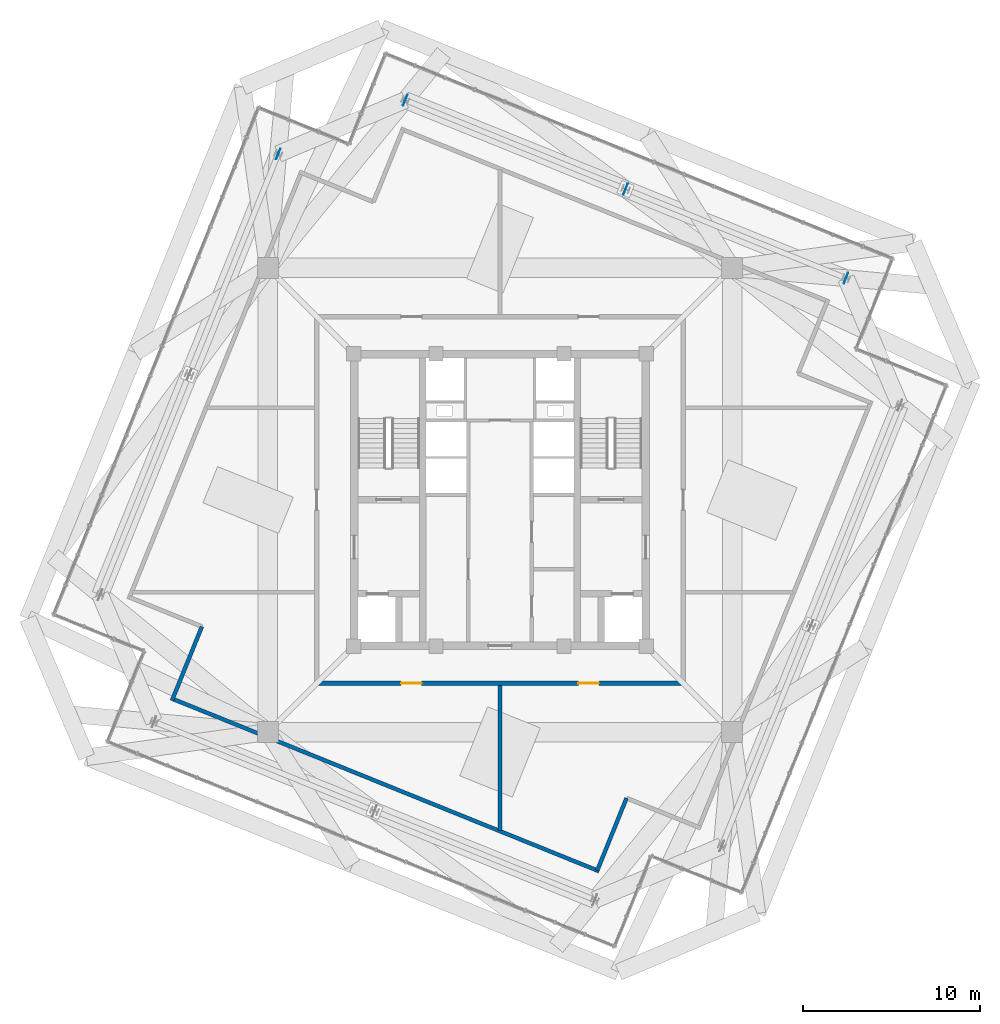
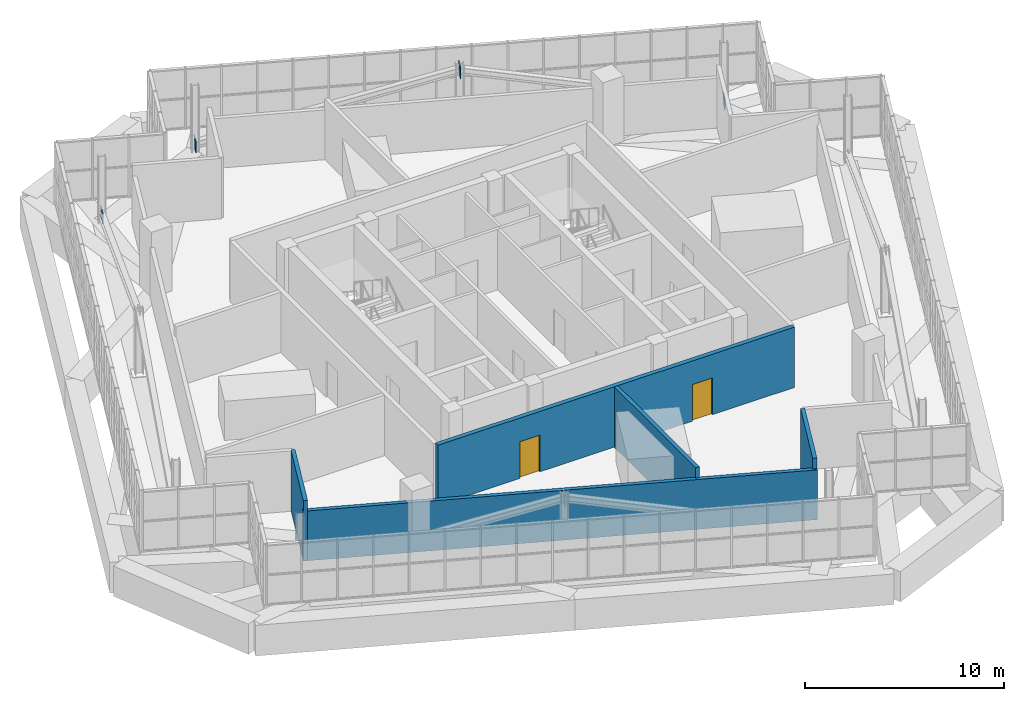
# One storey, part 31 of 35: 5 walls, 4 plates, 2 doors, 2 openings.
"""IFC4 building model written with IfcOpenShell, lengths in metres."""

import ifcopenshell
import ifcopenshell.guid

model = None  # the IFC model being written
_history = None  # IfcOwnerHistory: only IFC2X3 demands one
_inside = {}  # id of a spatial element -> (the spatial element, [elements in it])
_under = {}  # id of a project, library or spatial element -> (it, [spatial elements below it])
_declared = {}  # id of a project -> (the project, [libraries it declares])
_typed = {}  # id of a type object -> (the type object, [elements of that type])
_made_of = {}  # id of a material, layer set ... -> (it, [elements and type objects made of it])


def new_model(schema):
    """Start an empty IFC model of exactly this schema.

    Asked for "IFC4X3", IfcOpenShell would pick the latest addendum, in which some entities
    have other attributes; the version numbers below select the first issue.
    IFC2X3 requires an IfcOwnerHistory on every rooted entity: one is made here for all.
    """
    global model, _history
    if schema == "IFC4X3":
        model = ifcopenshell.file(schema_version=(4, 3, 0, 0))
    else:
        model = ifcopenshell.file(schema=schema)
    _inside.clear()
    _under.clear()
    _declared.clear()
    _typed.clear()
    _made_of.clear()
    _history = None
    if model.schema == "IFC2X3":
        org = make("IfcOrganization", Name="unknown")
        user = make(
            "IfcPersonAndOrganization",
            ThePerson=make("IfcPerson", FamilyName="unknown"),
            TheOrganization=org,
        )
        app = make(
            "IfcApplication",
            ApplicationDeveloper=org,
            Version="unknown",
            ApplicationFullName="unknown",
            ApplicationIdentifier="unknown",
        )
        _history = make(
            "IfcOwnerHistory",
            OwningUser=user,
            OwningApplication=app,
            ChangeAction="ADDED",
            CreationDate=0,
        )
    return model


def make(cls, **values):
    """One entity of the class cls with the attributes given. An attribute that is None is left unset."""
    return model.create_entity(
        cls, **{name: value for name, value in values.items() if value is not None}
    )


def rooted(cls, **values):
    """An entity with a GlobalId (a new one), such as an element, a storey or a relation."""
    return make(cls, GlobalId=ifcopenshell.guid.new(), OwnerHistory=_history, **values)


def si_unit(unit_type, name, prefix=None):
    """IfcSIUnit, for example si_unit("LENGTHUNIT", "METRE", prefix="MILLI")."""
    return make("IfcSIUnit", UnitType=unit_type, Prefix=prefix, Name=name)


def assignment(units):
    """IfcUnitAssignment: the units of a project."""
    return None if units is None else make("IfcUnitAssignment", Units=units)


def point(xyz):
    """IfcCartesianPoint."""
    return None if xyz is None else make("IfcCartesianPoint", Coordinates=xyz)


def direction(xyz):
    """IfcDirection."""
    return None if xyz is None else make("IfcDirection", DirectionRatios=xyz)


def frame(location, z_axis=None, x_axis=None):
    """IfcAxis2Placement3D, a coordinate frame: its origin and axes. An axis left out is left unset."""
    return make(
        "IfcAxis2Placement3D",
        Location=point(location),
        Axis=direction(z_axis),
        RefDirection=direction(x_axis),
    )


def frame_2d(location, x_axis=None):
    """IfcAxis2Placement2D, a coordinate frame in the plane: its origin and x axis."""
    return make(
        "IfcAxis2Placement2D", Location=point(location), RefDirection=direction(x_axis)
    )


def origin():
    """The frame at (0, 0, 0) with its axes left unset."""
    return frame((0.0, 0.0, 0.0))


def origin_2d():
    """The frame at (0, 0) in the plane with its x axis left unset."""
    return frame_2d((0.0, 0.0))


def place(relative_to, where):
    """IfcLocalPlacement: puts the frame where relative to a parent placement (None: the world)."""
    return make(
        "IfcLocalPlacement", PlacementRelTo=relative_to, RelativePlacement=where
    )


def context(
    kind, dimensions, precision=None, world=None, true_north=None, identifier=None
):
    """IfcGeometricRepresentationContext, for example the 3D "Model" context."""
    return make(
        "IfcGeometricRepresentationContext",
        ContextIdentifier=identifier,
        ContextType=kind,
        CoordinateSpaceDimension=dimensions,
        Precision=precision,
        WorldCoordinateSystem=world,
        TrueNorth=true_north,
    )


def subcontext(parent, identifier, kind, view, scale=None):
    """IfcGeometricRepresentationSubContext, for example "Body" below "Model"."""
    return make(
        "IfcGeometricRepresentationSubContext",
        ContextIdentifier=identifier,
        ContextType=kind,
        ParentContext=parent,
        TargetScale=scale,
        TargetView=view,
    )


def project(units=None, contexts=None):
    """IfcProject with its units and contexts."""
    return rooted(
        "IfcProject",
        Name="project",
        RepresentationContexts=contexts,
        UnitsInContext=assignment(units),
    )


def spatial(cls, under=None, at=None, **own):
    """A site, building, storey or space (cls), placed at a placement, below another one or the project."""
    s = rooted(cls, ObjectPlacement=at, **own)
    if under is not None:
        _under.setdefault(under.id(), (under, []))[1].append(s)
    return s


def profile(cls, at=None, kind="AREA", **sizes):
    """A parametric profile (cls). Its sizes go by their IFC names, for example OverallWidth=200.0."""
    return make(cls, ProfileType=kind, Position=at, **sizes)


def rectangle(**sizes):
    """IfcRectangleProfileDef."""
    return profile("IfcRectangleProfileDef", **sizes)


def extrude(swept, where, along, depth):
    """IfcExtrudedAreaSolid: the profile swept, set in the frame where, extruded along a direction by depth."""
    return make(
        "IfcExtrudedAreaSolid",
        SweptArea=swept,
        Position=where,
        ExtrudedDirection=direction(along),
        Depth=depth,
    )


def shape(context_of_items, identifier, shape_type, items):
    """IfcShapeRepresentation: the items that make up one representation, for example the "Body"."""
    return make(
        "IfcShapeRepresentation",
        ContextOfItems=context_of_items,
        RepresentationIdentifier=identifier,
        RepresentationType=shape_type,
        Items=items,
    )


def source(mapping_origin, context_of_items, identifier, shape_type, items):
    """IfcRepresentationMap: a shape defined once, which mapped items show again and again."""
    return make(
        "IfcRepresentationMap",
        MappingOrigin=mapping_origin,
        MappedRepresentation=shape(context_of_items, identifier, shape_type, items),
    )


def transform(
    local_origin,
    x_axis=None,
    y_axis=None,
    z_axis=None,
    scale=None,
    scale2=None,
    scale3=None,
    uniform=True,
):
    """IfcCartesianTransformationOperator3D, or its non-uniform kind. x_axis, y_axis, z_axis: its Axis1, 2, 3."""
    if uniform:
        return make(
            "IfcCartesianTransformationOperator3D",
            Axis1=direction(x_axis),
            Axis2=direction(y_axis),
            LocalOrigin=point(local_origin),
            Scale=scale,
            Axis3=direction(z_axis),
        )
    return make(
        "IfcCartesianTransformationOperator3DnonUniform",
        Axis1=direction(x_axis),
        Axis2=direction(y_axis),
        LocalOrigin=point(local_origin),
        Scale=scale,
        Axis3=direction(z_axis),
        Scale2=scale2,
        Scale3=scale3,
    )


def mapped(mapping_source, mapping_target):
    """IfcMappedItem: shows the shape of a source again, moved by a transform."""
    return make(
        "IfcMappedItem", MappingSource=mapping_source, MappingTarget=mapping_target
    )


def material(Name=None, Category=None):
    """IfcMaterial."""
    return make("IfcMaterial", Name=Name, Category=Category)


def layer(
    of_material, thickness, ventilated=None, Name=None, Category=None, Priority=None
):
    """IfcMaterialLayer: one layer of a wall or slab, of a material (None: an air gap)."""
    return make(
        "IfcMaterialLayer",
        Material=of_material,
        LayerThickness=thickness,
        IsVentilated=ventilated,
        Name=Name,
        Category=Category,
        Priority=Priority,
    )


def layer_set(layers, Name=None):
    """IfcMaterialLayerSet."""
    return make("IfcMaterialLayerSet", MaterialLayers=layers, LayerSetName=Name)


def made_of(thing, what):
    """Note that an element or type object is made of a material, layer set ...; save() writes the relation."""
    if what is not None:
        _made_of.setdefault(what.id(), (what, []))[1].append(thing)
    return thing


def type_object(cls, material=None, **own):
    """A type object (cls), such as IfcWallType, which elements share."""
    return made_of(rooted(cls, **own), material)


def element(
    cls,
    number,
    at=None,
    inside=None,
    cuts=None,
    type_object=None,
    material=None,
    context=None,
    identifier="Body",
    shape_type=None,
    held_by="IfcProductDefinitionShape",
    body=None,
    shapes=None,
    **own,
):
    """One element of the class cls, such as IfcWall. Its Tag is "e" and its number.

    at: its placement. inside: the storey or other place that contains it. cuts: it is an
    opening in that element (IfcRelVoidsElement). A single representation is given by context,
    identifier, shape_type and body (its items); several are given by shapes. held_by: the class
    of the entity that holds the representations. save() writes the other relations.
    """
    e = rooted(cls, Tag="e%d" % number, ObjectPlacement=at, **own)
    if body is not None:
        shapes = [shape(context, identifier, shape_type, body)]
    if shapes is not None:
        e.Representation = make(held_by, Representations=shapes)
    if inside is not None:
        _inside.setdefault(inside.id(), (inside, []))[1].append(e)
    if cuts is not None:
        rooted(
            "IfcRelVoidsElement", RelatingBuildingElement=cuts, RelatedOpeningElement=e
        )
    if type_object is not None:
        _typed.setdefault(type_object.id(), (type_object, []))[1].append(e)
    return made_of(e, material)


def fill(opening, filler):
    """IfcRelFillsElement: the door or window that sits in an opening."""
    return rooted(
        "IfcRelFillsElement",
        RelatingOpeningElement=opening,
        RelatedBuildingElement=filler,
    )


def aggregate(whole, parts):
    """IfcRelAggregates: a whole, such as a stair, and the parts it consists of."""
    return rooted("IfcRelAggregates", RelatingObject=whole, RelatedObjects=parts)


def save(model, path):
    """Write the relations noted so far, then the file.

    IfcRelAggregates (storeys below a building ...), IfcRelContainedInSpatialStructure (elements
    in a storey), IfcRelDefinesByType, IfcRelAssociatesMaterial and IfcRelDeclares: one each for
    every whole, place, type object, material and project.
    """
    for whole, parts in _under.values():
        aggregate(whole, parts)
    for where, things in _inside.values():
        rooted(
            "IfcRelContainedInSpatialStructure",
            RelatedElements=things,
            RelatingStructure=where,
        )
    for kind, things in _typed.values():
        rooted("IfcRelDefinesByType", RelatedObjects=things, RelatingType=kind)
    for what, things in _made_of.values():
        rooted("IfcRelAssociatesMaterial", RelatedObjects=things, RelatingMaterial=what)
    for by, libraries in _declared.values():
        rooted("IfcRelDeclares", RelatingContext=by, RelatedDefinitions=libraries)
    model.write(path)


model = new_model("IFC4")

# Units and contexts
model_context = context("Model", 3, precision=1e-05, world=origin(), true_north=direction((0.0, 1.0)))
body_context = subcontext(model_context, "Body", "Model", "MODEL_VIEW")
ifc_project = project(units=[si_unit("LENGTHUNIT", "METRE"), si_unit("AREAUNIT", "SQUARE_METRE"), si_unit("VOLUMEUNIT", "CUBIC_METRE"), si_unit("PLANEANGLEUNIT", "RADIAN"), si_unit("MASSUNIT", "GRAM", prefix="KILO"), si_unit("THERMODYNAMICTEMPERATUREUNIT", "KELVIN")], contexts=[model_context])

# Site, building, storey
site_placement = place(None, origin())
site = spatial("IfcSite", under=ifc_project, at=site_placement, CompositionType="ELEMENT")
building_placement = place(site_placement, origin())
building = spatial("IfcBuilding", under=site, at=building_placement, Name="Kosmvard Interchange Tower", CompositionType="ELEMENT")
storey_placement = place(building_placement, frame((0.0, 0.0, 321.60009765625)))
storey = spatial("IfcBuildingStorey", under=building, at=storey_placement, Name="L79", CompositionType="ELEMENT", Elevation=321.60009765625)

# Plates
ifc_material_1 = material(Name="Steel S355", Category="steel")
ifc_layer_1 = layer(ifc_material_1, 0.0380859375, Name="Steel S355")
ifc_layer_set_1 = layer_set([ifc_layer_1], Name="Steel S355")
plate_type = type_object("IfcPlateType", Name="Lantern Base & Chord End Cap Stiffener 750x750x38 S355", PredefinedType="USERDEFINED", material=ifc_layer_set_1)
shared_shape_1 = source(origin(), body_context, "Body", "SweptSolid", [
    extrude(rectangle(XDim=0.64990234375, YDim=0.0380859375, at=origin_2d()), origin(), (0.0, 0.0, 1.0), 0.64990234375),
])
for number, where, z_axis, x_axis, name in (
    (1, (19.50439453125, 12.504150390625, 0.094970703125), (0.0, 0.0, 1.0), (0.374606593416, 0.927183854567, 0.0), "L79 Crown Diagrid Node Gusset Plate LAE"),
    (2, (-5.34423828125, 22.54345703125, 0.094970703125), (0.0, 0.0, 1.0), (0.374606593416, 0.927183854567, 0.0), "L79 Crown Diagrid Node Gusset Plate LBE"),
    (3, (7.080078125, 17.523681640625, 3.324951171875), (0.0, 0.0, 1.0), (0.374606593416, 0.927183854567, 0.0), "L79 Crown Diagrid Node Gusset Plate LME"),
    (4, (-12.504150390625, 19.50439453125, 0.094970703125), (0.0, 0.0, 1.0), (0.374606593416, 0.927183854567, 0.0), "L79 Crown Diagrid Node Gusset Plate LAN"),
):
    element("IfcPlate", number, at=place(storey_placement, frame(where, z_axis=z_axis, x_axis=x_axis)), inside=storey, type_object=plate_type, Name=name, ObjectType="STIFFENER_PLATE", PredefinedType="USERDEFINED", context=body_context, shape_type="MappedRepresentation", body=[
        mapped(shared_shape_1, transform((0.0, 0.0, 0.0), scale=1.0)),
    ])

# Wall, openings, doors
ifc_material_2 = material(Name="Concrete blockwork masonry", Category="masonry")
ifc_layer_2 = layer(ifc_material_2, 0.25, Name="Concrete blockwork masonry")
ifc_layer_set_2 = layer_set([ifc_layer_2], Name="Concrete blockwork masonry")
wall_type_1 = type_object("IfcWallType", Name="Exit Passage & Firefighting Lobby Wall 250", PredefinedType="PARTITIONING", material=ifc_layer_set_2)
wall_1_placement = place(storey_placement, frame((-10.320068359375, -10.320068359375, 0.0), z_axis=(0.0, 0.0, 1.0), x_axis=(1.0, 0.0, 0.0)))
wall_1 = element("IfcWall", 5, at=wall_1_placement, inside=storey, type_object=wall_type_1, Name="L79 Corridor Wall CS", PredefinedType="PARTITIONING", context=body_context, shape_type="SweptSolid", body=[
    extrude(rectangle(XDim=20.64013671875, YDim=0.25, at=frame_2d((10.320068359375, 0.0))), origin(), (0.0, 0.0, 1.0), 3.699951171875),
])
opening_1_placement = place(wall_1_placement, frame((14.740478515625, 0.0, 0.0)))
opening_1 = element("IfcOpeningElement", 6, at=opening_1_placement, cuts=wall_1, Name="Opening L79-D04", PredefinedType="OPENING", context=body_context, shape_type="SweptSolid", body=[
    extrude(rectangle(XDim=1.14990234375, YDim=2.25, at=frame_2d((0.574951171875, 1.125))), frame((0.0, 0.135009765625, 0.0), z_axis=(0.0, -1.0, 0.0), x_axis=(1.0, 0.0, 0.0)), (0.0, 0.0, 1.0), 0.27001953125),
])
opening_2_placement = place(wall_1_placement, frame((4.74951171875, 0.0, 0.0)))
opening_2 = element("IfcOpeningElement", 7, at=opening_2_placement, cuts=wall_1, Name="Opening L79-D05", PredefinedType="OPENING", context=body_context, shape_type="SweptSolid", body=[
    extrude(rectangle(XDim=1.14990234375, YDim=2.25, at=frame_2d((0.574951171875, 1.125))), frame((0.0, 0.135009765625, 0.0), z_axis=(0.0, -1.0, 0.0), x_axis=(1.0, 0.0, 0.0)), (0.0, 0.0, 1.0), 0.27001953125),
])
ifc_material_3 = material(Name="Painted fire-rated steel leaf", Category="steel")
door_type = type_object("IfcDoorType", Name="Plant & Riser Fire Door 1150x2250 EI60", OperationType="NOTDEFINED", PredefinedType="DOOR", material=ifc_material_3)
shared_shape_2 = source(origin(), body_context, "Body", "SweptSolid", [
    extrude(rectangle(XDim=1.14990234375, YDim=2.25, at=frame_2d((0.574951171875, 1.125))), frame((0.0, 0.02490234375, 0.0), z_axis=(0.0, -1.0, 0.0), x_axis=(1.0, 0.0, 0.0)), (0.0, 0.0, 1.0), 0.050048828125),
])
door_1_placement = place(opening_1_placement, frame((1.14990234375, 0.0, 0.0), z_axis=(0.0, 0.0, 1.0), x_axis=(-1.0, 0.0, 0.0)))
door_1 = element("IfcDoor", 8, at=door_1_placement, inside=storey, type_object=door_type, Name="L79 Crown Switchgear Plant Room Door", OperationType="SINGLE_SWING_RIGHT", OverallHeight=2.25, OverallWidth=1.14990234375, PredefinedType="DOOR", context=body_context, shape_type="MappedRepresentation", body=[
    mapped(shared_shape_2, transform((0.0, 0.0, 0.0), scale=1.0)),
])
fill(opening_1, door_1)
door_2_placement = place(opening_2_placement, frame((1.14990234375, 0.0, 0.0), z_axis=(0.0, 0.0, 1.0), x_axis=(-1.0, 0.0, 0.0)))
door_2 = element("IfcDoor", 9, at=door_2_placement, inside=storey, type_object=door_type, Name="L79 Condenser Booster Pump Plant Room Door", OperationType="SINGLE_SWING_LEFT", OverallHeight=2.25, OverallWidth=1.14990234375, PredefinedType="DOOR", context=body_context, shape_type="MappedRepresentation", body=[
    mapped(shared_shape_2, transform((0.0, 0.0, 0.0), scale=1.0)),
])
fill(opening_2, door_2)

# Walls
ifc_layer_3 = layer(ifc_material_2, 0.219970703125, Name="Concrete blockwork masonry")
ifc_layer_set_3 = layer_set([ifc_layer_3], Name="Concrete blockwork masonry")
wall_type_2 = type_object("IfcWallType", Name="Riser & Plant Enclosure Wall 220", PredefinedType="PARTITIONING", material=ifc_layer_set_3)
wall_2_placement = place(storey_placement, frame((-16.80615234375, -7.1337890625, 0.0), z_axis=(0.0, 0.0, 1.0), x_axis=(-0.374599091925, -0.927186885331, 0.0)))
element("IfcWall", 10, at=wall_2_placement, inside=storey, type_object=wall_type_2, Name="L79 Crown Plant Enclosure Wall NW2", PredefinedType="PARTITIONING", context=body_context, shape_type="SweptSolid", body=[
    extrude(rectangle(XDim=4.510009765625, YDim=0.219970703125, at=frame_2d((2.2548828125, 0.0))), origin(), (0.0, 0.0, 1.0), 3.699951171875),
])
wall_3_placement = place(storey_placement, frame((-18.556396484375, -11.172119140625, 0.0), z_axis=(0.0, 0.0, 1.0), x_axis=(0.927181788521, -0.374611707018, 0.0)))
element("IfcWall", 11, at=wall_3_placement, inside=storey, type_object=wall_type_2, Name="L79 Crown Plant Enclosure Wall W", PredefinedType="PARTITIONING", context=body_context, shape_type="SweptSolid", body=[
    extrude(rectangle(XDim=26.0400390625, YDim=0.219970703125, at=frame_2d((13.02001953125, 0.0))), origin(), (0.0, 0.0, 1.0), 3.0498046875),
])
wall_4_placement = place(storey_placement, frame((5.485595703125, -20.8857421875, 0.0), z_axis=(0.0, 0.0, 1.0), x_axis=(0.374593321469, 0.927189216671, 0.0)))
element("IfcWall", 12, at=wall_4_placement, inside=storey, type_object=wall_type_2, Name="L79 Crown Plant Enclosure Wall SW1", PredefinedType="PARTITIONING", context=body_context, shape_type="SweptSolid", body=[
    extrude(rectangle(XDim=4.39990234375, YDim=0.219970703125, at=frame_2d((2.199951171875, 0.0))), origin(), (0.0, 0.0, 1.0), 3.699951171875),
])
wall_5_placement = place(storey_placement, frame((0.0, -10.449951171875, 0.0), z_axis=(0.0, 0.0, 1.0), x_axis=(0.0, -1.0, 0.0)))
element("IfcWall", 13, at=wall_5_placement, inside=storey, type_object=wall_type_2, Name="L79 Room Partition 04.1", PredefinedType="PARTITIONING", context=body_context, shape_type="SweptSolid", body=[
    extrude(rectangle(XDim=8.1708984375, YDim=0.219970703125, at=frame_2d((4.08544921875, 0.0))), origin(), (0.0, 0.0, 1.0), 3.699951171875),
])

save(model, "model.ifc")
